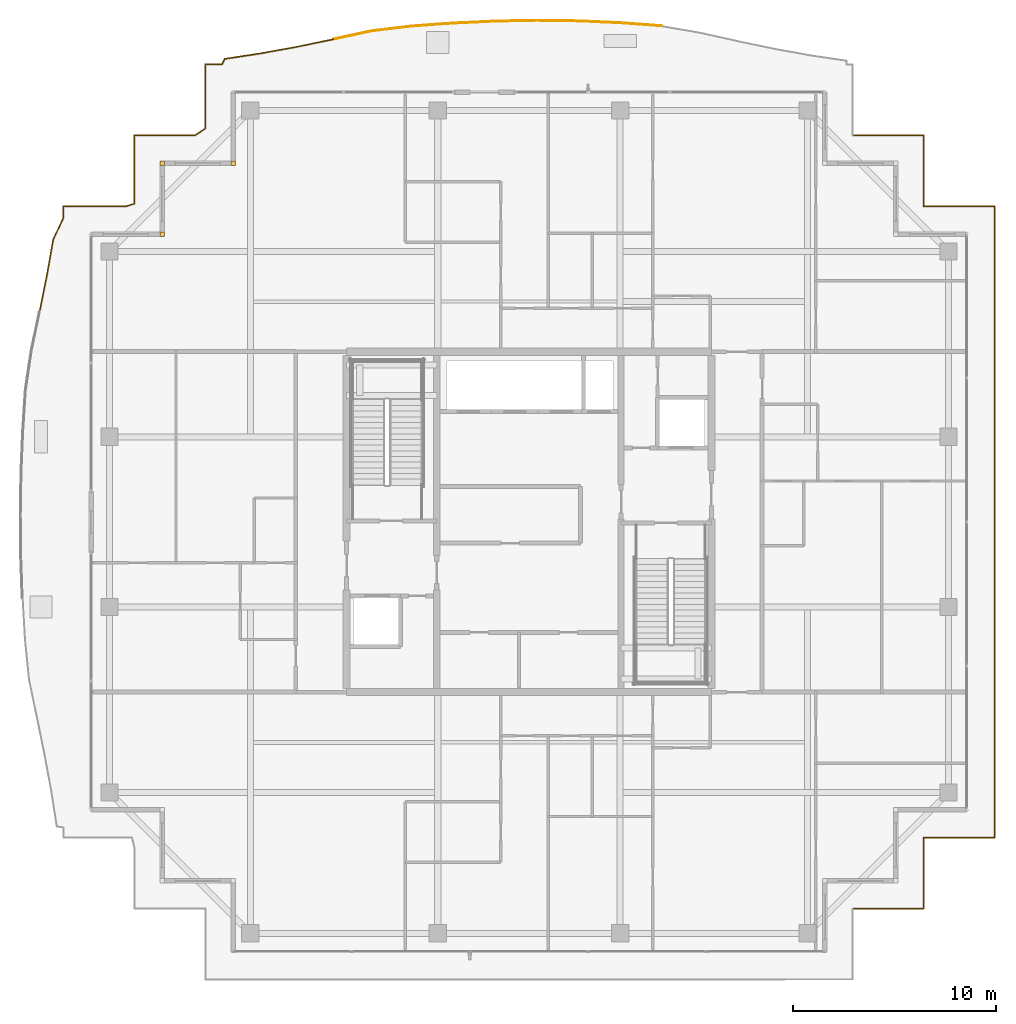
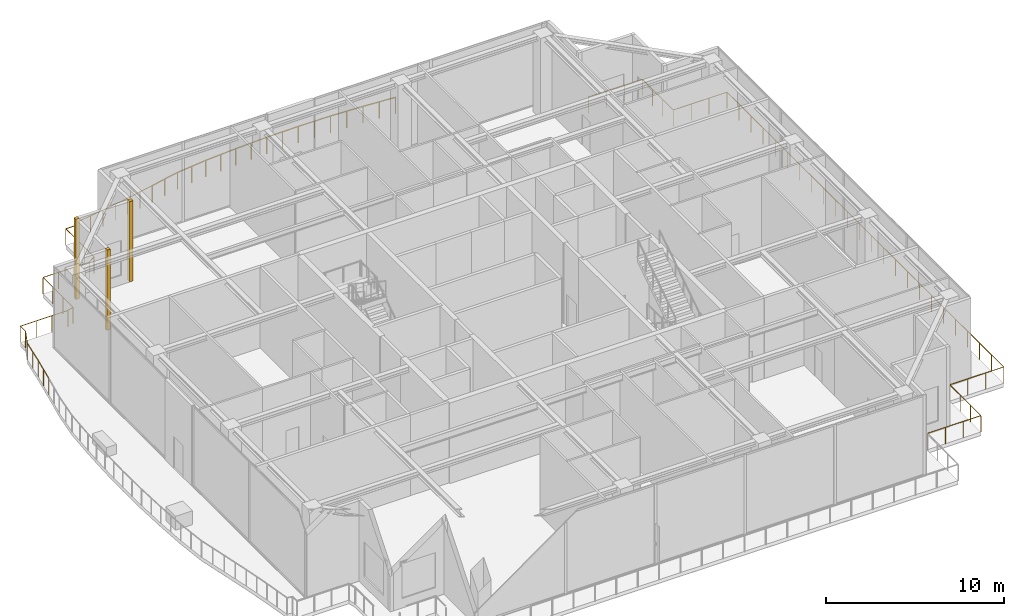
# One storey, part 37 of 38: 4 railings, 3 coverings.
"""IFC4 building model written with IfcOpenShell, lengths in metres."""

import ifcopenshell
import ifcopenshell.guid

model = None  # the IFC model being written
_history = None  # IfcOwnerHistory: only IFC2X3 demands one
_inside = {}  # id of a spatial element -> (the spatial element, [elements in it])
_under = {}  # id of a project, library or spatial element -> (it, [spatial elements below it])
_declared = {}  # id of a project -> (the project, [libraries it declares])
_typed = {}  # id of a type object -> (the type object, [elements of that type])
_made_of = {}  # id of a material, layer set ... -> (it, [elements and type objects made of it])


def new_model(schema):
    """Start an empty IFC model of exactly this schema.

    Asked for "IFC4X3", IfcOpenShell would pick the latest addendum, in which some entities
    have other attributes; the version numbers below select the first issue.
    IFC2X3 requires an IfcOwnerHistory on every rooted entity: one is made here for all.
    """
    global model, _history
    if schema == "IFC4X3":
        model = ifcopenshell.file(schema_version=(4, 3, 0, 0))
    else:
        model = ifcopenshell.file(schema=schema)
    _inside.clear()
    _under.clear()
    _declared.clear()
    _typed.clear()
    _made_of.clear()
    _history = None
    if model.schema == "IFC2X3":
        org = make("IfcOrganization", Name="unknown")
        user = make(
            "IfcPersonAndOrganization",
            ThePerson=make("IfcPerson", FamilyName="unknown"),
            TheOrganization=org,
        )
        app = make(
            "IfcApplication",
            ApplicationDeveloper=org,
            Version="unknown",
            ApplicationFullName="unknown",
            ApplicationIdentifier="unknown",
        )
        _history = make(
            "IfcOwnerHistory",
            OwningUser=user,
            OwningApplication=app,
            ChangeAction="ADDED",
            CreationDate=0,
        )
    return model


def make(cls, **values):
    """One entity of the class cls with the attributes given. An attribute that is None is left unset."""
    return model.create_entity(
        cls, **{name: value for name, value in values.items() if value is not None}
    )


def rooted(cls, **values):
    """An entity with a GlobalId (a new one), such as an element, a storey or a relation."""
    return make(cls, GlobalId=ifcopenshell.guid.new(), OwnerHistory=_history, **values)


def si_unit(unit_type, name, prefix=None):
    """IfcSIUnit, for example si_unit("LENGTHUNIT", "METRE", prefix="MILLI")."""
    return make("IfcSIUnit", UnitType=unit_type, Prefix=prefix, Name=name)


def assignment(units):
    """IfcUnitAssignment: the units of a project."""
    return None if units is None else make("IfcUnitAssignment", Units=units)


def point(xyz):
    """IfcCartesianPoint."""
    return None if xyz is None else make("IfcCartesianPoint", Coordinates=xyz)


def direction(xyz):
    """IfcDirection."""
    return None if xyz is None else make("IfcDirection", DirectionRatios=xyz)


def frame(location, z_axis=None, x_axis=None):
    """IfcAxis2Placement3D, a coordinate frame: its origin and axes. An axis left out is left unset."""
    return make(
        "IfcAxis2Placement3D",
        Location=point(location),
        Axis=direction(z_axis),
        RefDirection=direction(x_axis),
    )


def frame_2d(location, x_axis=None):
    """IfcAxis2Placement2D, a coordinate frame in the plane: its origin and x axis."""
    return make(
        "IfcAxis2Placement2D", Location=point(location), RefDirection=direction(x_axis)
    )


def origin():
    """The frame at (0, 0, 0) with its axes left unset."""
    return frame((0.0, 0.0, 0.0))


def origin_2d():
    """The frame at (0, 0) in the plane with its x axis left unset."""
    return frame_2d((0.0, 0.0))


def place(relative_to, where):
    """IfcLocalPlacement: puts the frame where relative to a parent placement (None: the world)."""
    return make(
        "IfcLocalPlacement", PlacementRelTo=relative_to, RelativePlacement=where
    )


def context(
    kind, dimensions, precision=None, world=None, true_north=None, identifier=None
):
    """IfcGeometricRepresentationContext, for example the 3D "Model" context."""
    return make(
        "IfcGeometricRepresentationContext",
        ContextIdentifier=identifier,
        ContextType=kind,
        CoordinateSpaceDimension=dimensions,
        Precision=precision,
        WorldCoordinateSystem=world,
        TrueNorth=true_north,
    )


def subcontext(parent, identifier, kind, view, scale=None):
    """IfcGeometricRepresentationSubContext, for example "Body" below "Model"."""
    return make(
        "IfcGeometricRepresentationSubContext",
        ContextIdentifier=identifier,
        ContextType=kind,
        ParentContext=parent,
        TargetScale=scale,
        TargetView=view,
    )


def project(units=None, contexts=None):
    """IfcProject with its units and contexts."""
    return rooted(
        "IfcProject",
        Name="project",
        RepresentationContexts=contexts,
        UnitsInContext=assignment(units),
    )


def spatial(cls, under=None, at=None, **own):
    """A site, building, storey or space (cls), placed at a placement, below another one or the project."""
    s = rooted(cls, ObjectPlacement=at, **own)
    if under is not None:
        _under.setdefault(under.id(), (under, []))[1].append(s)
    return s


def profile(cls, at=None, kind="AREA", **sizes):
    """A parametric profile (cls). Its sizes go by their IFC names, for example OverallWidth=200.0."""
    return make(cls, ProfileType=kind, Position=at, **sizes)


def rectangle(**sizes):
    """IfcRectangleProfileDef."""
    return profile("IfcRectangleProfileDef", **sizes)


def circle(**sizes):
    """IfcCircleProfileDef."""
    return profile("IfcCircleProfileDef", **sizes)


def extrude(swept, where, along, depth):
    """IfcExtrudedAreaSolid: the profile swept, set in the frame where, extruded along a direction by depth."""
    return make(
        "IfcExtrudedAreaSolid",
        SweptArea=swept,
        Position=where,
        ExtrudedDirection=direction(along),
        Depth=depth,
    )


def shape(context_of_items, identifier, shape_type, items):
    """IfcShapeRepresentation: the items that make up one representation, for example the "Body"."""
    return make(
        "IfcShapeRepresentation",
        ContextOfItems=context_of_items,
        RepresentationIdentifier=identifier,
        RepresentationType=shape_type,
        Items=items,
    )


def source(mapping_origin, context_of_items, identifier, shape_type, items):
    """IfcRepresentationMap: a shape defined once, which mapped items show again and again."""
    return make(
        "IfcRepresentationMap",
        MappingOrigin=mapping_origin,
        MappedRepresentation=shape(context_of_items, identifier, shape_type, items),
    )


def transform(
    local_origin,
    x_axis=None,
    y_axis=None,
    z_axis=None,
    scale=None,
    scale2=None,
    scale3=None,
    uniform=True,
):
    """IfcCartesianTransformationOperator3D, or its non-uniform kind. x_axis, y_axis, z_axis: its Axis1, 2, 3."""
    if uniform:
        return make(
            "IfcCartesianTransformationOperator3D",
            Axis1=direction(x_axis),
            Axis2=direction(y_axis),
            LocalOrigin=point(local_origin),
            Scale=scale,
            Axis3=direction(z_axis),
        )
    return make(
        "IfcCartesianTransformationOperator3DnonUniform",
        Axis1=direction(x_axis),
        Axis2=direction(y_axis),
        LocalOrigin=point(local_origin),
        Scale=scale,
        Axis3=direction(z_axis),
        Scale2=scale2,
        Scale3=scale3,
    )


def mapped(mapping_source, mapping_target):
    """IfcMappedItem: shows the shape of a source again, moved by a transform."""
    return make(
        "IfcMappedItem", MappingSource=mapping_source, MappingTarget=mapping_target
    )


def material(Name=None, Category=None):
    """IfcMaterial."""
    return make("IfcMaterial", Name=Name, Category=Category)


def layer(
    of_material, thickness, ventilated=None, Name=None, Category=None, Priority=None
):
    """IfcMaterialLayer: one layer of a wall or slab, of a material (None: an air gap)."""
    return make(
        "IfcMaterialLayer",
        Material=of_material,
        LayerThickness=thickness,
        IsVentilated=ventilated,
        Name=Name,
        Category=Category,
        Priority=Priority,
    )


def layer_set(layers, Name=None):
    """IfcMaterialLayerSet."""
    return make("IfcMaterialLayerSet", MaterialLayers=layers, LayerSetName=Name)


def made_of(thing, what):
    """Note that an element or type object is made of a material, layer set ...; save() writes the relation."""
    if what is not None:
        _made_of.setdefault(what.id(), (what, []))[1].append(thing)
    return thing


def type_object(cls, material=None, **own):
    """A type object (cls), such as IfcWallType, which elements share."""
    return made_of(rooted(cls, **own), material)


def element(
    cls,
    number,
    at=None,
    inside=None,
    cuts=None,
    type_object=None,
    material=None,
    context=None,
    identifier="Body",
    shape_type=None,
    held_by="IfcProductDefinitionShape",
    body=None,
    shapes=None,
    **own,
):
    """One element of the class cls, such as IfcWall. Its Tag is "e" and its number.

    at: its placement. inside: the storey or other place that contains it. cuts: it is an
    opening in that element (IfcRelVoidsElement). A single representation is given by context,
    identifier, shape_type and body (its items); several are given by shapes. held_by: the class
    of the entity that holds the representations. save() writes the other relations.
    """
    e = rooted(cls, Tag="e%d" % number, ObjectPlacement=at, **own)
    if body is not None:
        shapes = [shape(context, identifier, shape_type, body)]
    if shapes is not None:
        e.Representation = make(held_by, Representations=shapes)
    if inside is not None:
        _inside.setdefault(inside.id(), (inside, []))[1].append(e)
    if cuts is not None:
        rooted(
            "IfcRelVoidsElement", RelatingBuildingElement=cuts, RelatedOpeningElement=e
        )
    if type_object is not None:
        _typed.setdefault(type_object.id(), (type_object, []))[1].append(e)
    return made_of(e, material)


def aggregate(whole, parts):
    """IfcRelAggregates: a whole, such as a stair, and the parts it consists of."""
    return rooted("IfcRelAggregates", RelatingObject=whole, RelatedObjects=parts)


def save(model, path):
    """Write the relations noted so far, then the file.

    IfcRelAggregates (storeys below a building ...), IfcRelContainedInSpatialStructure (elements
    in a storey), IfcRelDefinesByType, IfcRelAssociatesMaterial and IfcRelDeclares: one each for
    every whole, place, type object, material and project.
    """
    for whole, parts in _under.values():
        aggregate(whole, parts)
    for where, things in _inside.values():
        rooted(
            "IfcRelContainedInSpatialStructure",
            RelatedElements=things,
            RelatingStructure=where,
        )
    for kind, things in _typed.values():
        rooted("IfcRelDefinesByType", RelatedObjects=things, RelatingType=kind)
    for what, things in _made_of.values():
        rooted("IfcRelAssociatesMaterial", RelatedObjects=things, RelatingMaterial=what)
    for by, libraries in _declared.values():
        rooted("IfcRelDeclares", RelatingContext=by, RelatedDefinitions=libraries)
    model.write(path)


model = new_model("IFC4")

# Units and contexts
model_context = context("Model", 3, precision=1e-05, world=origin(), true_north=direction((0.0, 1.0)))
body_context = subcontext(model_context, "Body", "Model", "MODEL_VIEW")
ifc_project = project(units=[si_unit("LENGTHUNIT", "METRE"), si_unit("AREAUNIT", "SQUARE_METRE"), si_unit("VOLUMEUNIT", "CUBIC_METRE"), si_unit("PLANEANGLEUNIT", "RADIAN"), si_unit("MASSUNIT", "GRAM", prefix="KILO")], contexts=[model_context])

# Site, building, storey
site_placement = place(None, origin())
site = spatial("IfcSite", under=ifc_project, at=site_placement, CompositionType="ELEMENT")
building_placement = place(site_placement, origin())
building = spatial("IfcBuilding", under=site, at=building_placement, Name="Serunith Strait Residences", CompositionType="ELEMENT")
storey_placement = place(building_placement, frame((0.0, 0.0, 353.85009765625)))
storey = spatial("IfcBuildingStorey", under=building, at=storey_placement, Name="L87", CompositionType="ELEMENT", Elevation=353.85009765625)

# Railings
ifc_material_1 = material(Name="Stainless Steel & Laminated Glass Balustrade", Category="steel")
railing_type = type_object("IfcRailingType", Name="RLG-BALC-1150", PredefinedType="BALUSTRADE", material=ifc_material_1)
railing_1_placement = place(storey_placement, frame((8.243408203125, 35.544921875, -0.050048828125)))
element("IfcRailing", 1, at=railing_1_placement, inside=storey, type_object=railing_type, Name="L87 Swirling Balcony Perimeter Balustrade 3", PredefinedType="BALUSTRADE", context=body_context, shape_type="SweptSolid", body=[
    extrude(circle(Radius=0.02392578125, at=origin_2d()), frame((0.00048828125, 0.001953125, 1.1259765625), z_axis=(0.196065251128, 0.98059085112, 0.0), x_axis=(-0.98059085112, 0.196065251128, 0.0)), (0.0, 0.0, 1.0), 1.84130859375),
    extrude(circle(Radius=0.02392578125, at=origin_2d()), frame((0.362060546875, 1.8115234375, 1.1259765625), z_axis=(0.17386245879, 0.984769945431, 0.0), x_axis=(-0.984769945431, 0.17386245879, 0.0)), (0.0, 0.0, 1.0), 1.8017578125),
    extrude(circle(Radius=0.02392578125, at=origin_2d()), frame((0.676513671875, 3.589599609375, 1.1259765625), z_axis=(0.425667098184, 0.904879838168, 0.0), x_axis=(-0.904879838168, 0.425667098184, 0.0)), (0.0, 0.0, 1.0), 1.17236328125),
    extrude(circle(Radius=0.02392578125, at=origin_2d()), frame((1.176513671875, 4.654296875, 1.1259765625), z_axis=(0.0, 1.0, 0.0), x_axis=(-1.0, 0.0, 0.0)), (0.0, 0.0, 1.0), 0.578857421875),
    extrude(circle(Radius=0.02392578125, at=origin_2d()), frame((1.178466796875, 5.235107421875, 1.1259765625), z_axis=(1.0, 0.0, 0.0), x_axis=(0.0, 1.0, 0.0)), (0.0, 0.0, 1.0), 3.0859375),
    extrude(circle(Radius=0.02392578125, at=origin_2d()), frame((4.268310546875, 5.235595703125, 1.1259765625), z_axis=(0.957983085849, 0.286824697728, 0.0), x_axis=(-0.286824697728, 0.957983085849, 0.0)), (0.0, 0.0, 1.0), 0.424072265625),
    extrude(circle(Radius=0.02392578125, at=origin_2d()), frame((4.676513671875, 5.35986328125, 1.1259765625), z_axis=(0.0, 1.0, 0.0), x_axis=(-1.0, 0.0, 0.0)), (0.0, 0.0, 1.0), 3.373291015625),
    extrude(circle(Radius=0.02392578125, at=origin_2d()), frame((4.678466796875, 8.735107421875, 1.1259765625), z_axis=(1.0, 0.0, 0.0), x_axis=(0.0, 1.0, 0.0)), (0.0, 0.0, 1.0), 2.989990234375),
    extrude(circle(Radius=0.02099609375, at=origin_2d()), origin(), (0.0, 0.0, 1.0), 1.099853515625),
    extrude(circle(Radius=0.02099609375, at=origin_2d()), frame((0.180908203125, 0.90478515625, 0.0)), (0.0, 0.0, 1.0), 1.099853515625),
    extrude(circle(Radius=0.02099609375, at=origin_2d()), frame((0.36181640625, 1.8095703125, 0.0)), (0.0, 0.0, 1.0), 1.099853515625),
    extrude(circle(Radius=0.02099609375, at=origin_2d()), frame((0.518798828125, 2.69873046875, 0.0)), (0.0, 0.0, 1.0), 1.099853515625),
    extrude(circle(Radius=0.02099609375, at=origin_2d()), frame((0.67578125, 3.587890625, 0.0)), (0.0, 0.0, 1.0), 1.099853515625),
    extrude(circle(Radius=0.02099609375, at=origin_2d()), frame((1.176513671875, 4.65234375, 0.0)), (0.0, 0.0, 1.0), 1.099853515625),
    extrude(circle(Radius=0.02099609375, at=origin_2d()), frame((1.176513671875, 5.235107421875, 0.0)), (0.0, 0.0, 1.0), 1.099853515625),
    extrude(circle(Radius=0.02099609375, at=origin_2d()), frame((2.20654296875, 5.235107421875, 0.0)), (0.0, 0.0, 1.0), 1.099853515625),
    extrude(circle(Radius=0.02099609375, at=origin_2d()), frame((3.236328125, 5.235107421875, 0.0)), (0.0, 0.0, 1.0), 1.099853515625),
    extrude(circle(Radius=0.02099609375, at=origin_2d()), frame((4.266357421875, 5.235107421875, 0.0)), (0.0, 0.0, 1.0), 1.099853515625),
    extrude(circle(Radius=0.02099609375, at=origin_2d()), frame((4.676513671875, 5.35791015625, 0.0)), (0.0, 0.0, 1.0), 1.099853515625),
    extrude(circle(Radius=0.02099609375, at=origin_2d()), frame((4.676513671875, 6.483642578125, 0.0)), (0.0, 0.0, 1.0), 1.099853515625),
    extrude(circle(Radius=0.02099609375, at=origin_2d()), frame((4.676513671875, 7.609375, 0.0)), (0.0, 0.0, 1.0), 1.099853515625),
    extrude(circle(Radius=0.02099609375, at=origin_2d()), frame((4.676513671875, 8.735107421875, 0.0)), (0.0, 0.0, 1.0), 1.099853515625),
    extrude(circle(Radius=0.02099609375, at=origin_2d()), frame((5.674560546875, 8.735107421875, 0.0)), (0.0, 0.0, 1.0), 1.099853515625),
    extrude(circle(Radius=0.02099609375, at=origin_2d()), frame((6.67236328125, 8.735107421875, 0.0)), (0.0, 0.0, 1.0), 1.099853515625),
    extrude(circle(Radius=0.02099609375, at=origin_2d()), frame((7.67041015625, 8.735107421875, 0.0)), (0.0, 0.0, 1.0), 1.099853515625),
])
railing_2_placement = place(storey_placement, frame((15.913818359375, 44.280029296875, -0.050048828125)))
element("IfcRailing", 2, at=railing_2_placement, inside=storey, type_object=railing_type, Name="L87 Swirling Balcony Perimeter Balustrade 4", PredefinedType="BALUSTRADE", context=body_context, shape_type="SweptSolid", body=[
    extrude(circle(Radius=0.02392578125, at=origin_2d()), frame((0.001708984375, 0.0009765625, 1.1259765625), z_axis=(0.839081135854, 0.544006293579, 0.0), x_axis=(-0.544006293579, 0.839081135854, 0.0)), (0.0, 0.0, 1.0), 0.59912109375),
    extrude(circle(Radius=0.02392578125, at=origin_2d()), frame((0.506103515625, 0.330078125, 1.1259765625), z_axis=(0.0, 1.0, 0.0), x_axis=(-1.0, 0.0, 0.0)), (0.0, 0.0, 1.0), 3.16796875),
    extrude(circle(Radius=0.02392578125, at=origin_2d()), frame((0.508056640625, 3.5, 1.1259765625), z_axis=(1.0, 0.0, 0.0), x_axis=(0.0, 1.0, 0.0)), (0.0, 0.0, 1.0), 0.820556640625),
    extrude(circle(Radius=0.02392578125, at=origin_2d()), frame((1.33154296875, 3.501708984375, 1.1259765625), z_axis=(0.4472135955, 0.894427191, 0.0), x_axis=(-0.894427191, 0.4472135955, 0.0)), (0.0, 0.0, 1.0), 0.300537109375),
    extrude(circle(Radius=0.02392578125, at=origin_2d()), frame((1.46875, 3.772705078125, 1.1259765625), z_axis=(0.988686694555, 0.149995399961, 0.0), x_axis=(-0.149995399961, 0.988686694555, 0.0)), (0.0, 0.0, 1.0), 1.784912109375),
    extrude(circle(Radius=0.02392578125, at=origin_2d()), frame((3.2373046875, 4.041015625, 1.1259765625), z_axis=(0.983850539316, 0.178991944755, 0.0), x_axis=(-0.178991944755, 0.983850539316, 0.0)), (0.0, 0.0, 1.0), 1.8115234375),
    extrude(circle(Radius=0.02392578125, at=origin_2d()), frame((5.0234375, 4.3662109375, 1.1259765625), z_axis=(0.979406649653, 0.201897534941, 0.0), x_axis=(-0.201897534941, 0.979406649653, 0.0)), (0.0, 0.0, 1.0), 1.8544921875),
    extrude(circle(Radius=0.02099609375, at=origin_2d()), origin(), (0.0, 0.0, 1.0), 1.099853515625),
    extrude(circle(Radius=0.02099609375, at=origin_2d()), frame((0.506103515625, 0.328125, 0.0)), (0.0, 0.0, 1.0), 1.099853515625),
    extrude(circle(Radius=0.02099609375, at=origin_2d()), frame((0.506103515625, 1.385498046875, 0.0)), (0.0, 0.0, 1.0), 1.099853515625),
    extrude(circle(Radius=0.02099609375, at=origin_2d()), frame((0.506103515625, 2.442626953125, 0.0)), (0.0, 0.0, 1.0), 1.099853515625),
    extrude(circle(Radius=0.02099609375, at=origin_2d()), frame((0.506103515625, 3.5, 0.0)), (0.0, 0.0, 1.0), 1.099853515625),
    extrude(circle(Radius=0.02099609375, at=origin_2d()), frame((1.33056640625, 3.5, 0.0)), (0.0, 0.0, 1.0), 1.099853515625),
    extrude(circle(Radius=0.02099609375, at=origin_2d()), frame((1.466796875, 3.7724609375, 0.0)), (0.0, 0.0, 1.0), 1.099853515625),
    extrude(circle(Radius=0.02099609375, at=origin_2d()), frame((2.35107421875, 3.90673828125, 0.0)), (0.0, 0.0, 1.0), 1.099853515625),
    extrude(circle(Radius=0.02099609375, at=origin_2d()), frame((3.2353515625, 4.040771484375, 0.0)), (0.0, 0.0, 1.0), 1.099853515625),
    extrude(circle(Radius=0.02099609375, at=origin_2d()), frame((4.12841796875, 4.203125, 0.0)), (0.0, 0.0, 1.0), 1.099853515625),
    extrude(circle(Radius=0.02099609375, at=origin_2d()), frame((5.021484375, 4.36572265625, 0.0)), (0.0, 0.0, 1.0), 1.099853515625),
    extrude(circle(Radius=0.02099609375, at=origin_2d()), frame((5.931640625, 4.55322265625, 0.0)), (0.0, 0.0, 1.0), 1.099853515625),
    extrude(circle(Radius=0.02099609375, at=origin_2d()), frame((6.841796875, 4.740966796875, 0.0)), (0.0, 0.0, 1.0), 1.099853515625),
])
railing_3_placement = place(storey_placement, frame((22.755615234375, 49.02099609375, -0.050048828125)))
element("IfcRailing", 3, at=railing_3_placement, inside=storey, type_object=railing_type, Name="L87 Swirling Balcony Perimeter Balustrade 5", PredefinedType="BALUSTRADE", context=body_context, shape_type="SweptSolid", body=[
    extrude(circle(Radius=0.02392578125, at=origin_2d()), frame((0.001953125, 0.00048828125, 1.1259765625), z_axis=(0.977367925952, 0.211546537009, 0.0), x_axis=(-0.211546537009, 0.977367925952, 0.0)), (0.0, 0.0, 1.0), 1.912841796875),
    extrude(circle(Radius=0.02392578125, at=origin_2d()), frame((1.87548828125, 0.40576171875, 1.1259765625), z_axis=(0.99287741728, 0.119140397244, 0.0), x_axis=(-0.119140397244, 0.99287741728, 0.0)), (0.0, 0.0, 1.0), 1.991943359375),
    extrude(circle(Radius=0.02392578125, at=origin_2d()), frame((3.857177734375, 0.6435546875, 1.1259765625), z_axis=(0.997472645917, 0.071051535157, 0.0), x_axis=(-0.071051535157, 0.997472645917, 0.0)), (0.0, 0.0, 1.0), 2.037109375),
    extrude(circle(Radius=0.02392578125, at=origin_2d()), frame((5.89306640625, 0.788330078125, 1.1259765625), z_axis=(0.998887572627, 0.047155246271, 0.0), x_axis=(-0.047155246271, 0.998887572627, 0.0)), (0.0, 0.0, 1.0), 2.061767578125),
    extrude(circle(Radius=0.02392578125, at=origin_2d()), frame((7.95654296875, 0.8857421875, 1.1259765625), z_axis=(0.999830062475, 0.018434917182, 0.0), x_axis=(-0.018434917182, 0.999830062475, 0.0)), (0.0, 0.0, 1.0), 2.0751953125),
    extrude(circle(Radius=0.02392578125, at=origin_2d()), frame((10.035400390625, 0.924072265625, 1.1259765625), z_axis=(0.999911955906, -0.01326953036, 0.0), x_axis=(0.01326953036, 0.999911955906, 0.0)), (0.0, 0.0, 1.0), 2.074951171875),
    extrude(circle(Radius=0.02392578125, at=origin_2d()), frame((12.1142578125, 0.896484375, 1.1259765625), z_axis=(0.998989406938, -0.044946243741, 0.0), x_axis=(0.044946243741, 0.998989406938, 0.0)), (0.0, 0.0, 1.0), 2.06005859375),
    extrude(circle(Radius=0.02392578125, at=origin_2d()), frame((14.17626953125, 0.803466796875, 1.1259765625), z_axis=(0.997287994412, -0.073597936126, 0.0), x_axis=(0.073597936126, 0.997287994412, 0.0)), (0.0, 0.0, 1.0), 2.03271484375),
    extrude(circle(Radius=0.02099609375, at=origin_2d()), origin(), (0.0, 0.0, 1.0), 1.099853515625),
    extrude(circle(Radius=0.02099609375, at=origin_2d()), frame((0.936767578125, 0.20263671875, 0.0)), (0.0, 0.0, 1.0), 1.099853515625),
    extrude(circle(Radius=0.02099609375, at=origin_2d()), frame((1.87353515625, 0.405517578125, 0.0)), (0.0, 0.0, 1.0), 1.099853515625),
    extrude(circle(Radius=0.02099609375, at=origin_2d()), frame((2.8642578125, 0.5244140625, 0.0)), (0.0, 0.0, 1.0), 1.099853515625),
    extrude(circle(Radius=0.02099609375, at=origin_2d()), frame((3.855224609375, 0.643310546875, 0.0)), (0.0, 0.0, 1.0), 1.099853515625),
    extrude(circle(Radius=0.02099609375, at=origin_2d()), frame((4.873046875, 0.7158203125, 0.0)), (0.0, 0.0, 1.0), 1.099853515625),
    extrude(circle(Radius=0.02099609375, at=origin_2d()), frame((5.89111328125, 0.788330078125, 0.0)), (0.0, 0.0, 1.0), 1.099853515625),
    extrude(circle(Radius=0.02099609375, at=origin_2d()), frame((6.9228515625, 0.8369140625, 0.0)), (0.0, 0.0, 1.0), 1.099853515625),
    extrude(circle(Radius=0.02099609375, at=origin_2d()), frame((7.95458984375, 0.8857421875, 0.0)), (0.0, 0.0, 1.0), 1.099853515625),
    extrude(circle(Radius=0.02099609375, at=origin_2d()), frame((8.994140625, 0.90478515625, 0.0)), (0.0, 0.0, 1.0), 1.099853515625),
    extrude(circle(Radius=0.02099609375, at=origin_2d()), frame((10.033447265625, 0.924072265625, 0.0)), (0.0, 0.0, 1.0), 1.099853515625),
    extrude(circle(Radius=0.02099609375, at=origin_2d()), frame((11.07275390625, 0.91015625, 0.0)), (0.0, 0.0, 1.0), 1.099853515625),
    extrude(circle(Radius=0.02099609375, at=origin_2d()), frame((12.1123046875, 0.896484375, 0.0)), (0.0, 0.0, 1.0), 1.099853515625),
    extrude(circle(Radius=0.02099609375, at=origin_2d()), frame((13.143310546875, 0.85009765625, 0.0)), (0.0, 0.0, 1.0), 1.099853515625),
    extrude(circle(Radius=0.02099609375, at=origin_2d()), frame((14.17431640625, 0.8037109375, 0.0)), (0.0, 0.0, 1.0), 1.099853515625),
    extrude(circle(Radius=0.02099609375, at=origin_2d()), frame((15.18994140625, 0.728759765625, 0.0)), (0.0, 0.0, 1.0), 1.099853515625),
    extrude(circle(Radius=0.02099609375, at=origin_2d()), frame((16.20556640625, 0.65380859375, 0.0)), (0.0, 0.0, 1.0), 1.099853515625),
])
railing_4_placement = place(storey_placement, frame((48.3798828125, 44.280029296875, -0.050048828125)))
element("IfcRailing", 4, at=railing_4_placement, inside=storey, type_object=railing_type, Name="L87 Swirling Balcony Perimeter Balustrade 7", PredefinedType="BALUSTRADE", context=body_context, shape_type="SweptSolid", body=[
    extrude(circle(Radius=0.02392578125, at=origin_2d()), frame((0.001953125, 0.0, 1.1259765625), z_axis=(1.0, 0.0, 0.0), x_axis=(0.0, 1.0, 0.0)), (0.0, 0.0, 1.0), 3.49609375),
    extrude(circle(Radius=0.02392578125, at=origin_2d()), frame((3.5, -0.001953125, 1.1259765625), z_axis=(0.0, -1.0, 0.0), x_axis=(1.0, 0.0, 0.0)), (0.0, 0.0, 1.0), 3.49609375),
    extrude(circle(Radius=0.02392578125, at=origin_2d()), frame((3.501953125, -3.5, 1.1259765625), z_axis=(1.0, 0.0, 0.0), x_axis=(0.0, 1.0, 0.0)), (0.0, 0.0, 1.0), 3.49609375),
    extrude(circle(Radius=0.02392578125, at=origin_2d()), frame((7.0, -3.501953125, 1.1259765625), z_axis=(0.0, -1.0, 0.0), x_axis=(1.0, 0.0, 0.0)), (0.0, 0.0, 1.0), 31.156005859375),
    extrude(circle(Radius=0.02392578125, at=origin_2d()), frame((6.998046875, -34.659912109375, 1.1259765625), z_axis=(-1.0, 0.0, 0.0), x_axis=(0.0, -1.0, 0.0)), (0.0, 0.0, 1.0), 3.49609375),
    extrude(circle(Radius=0.02392578125, at=origin_2d()), frame((3.5, -34.661865234375, 1.1259765625), z_axis=(0.0, -1.0, 0.0), x_axis=(1.0, 0.0, 0.0)), (0.0, 0.0, 1.0), 3.49609375),
    extrude(circle(Radius=0.02392578125, at=origin_2d()), frame((3.498046875, -38.159912109375, 1.1259765625), z_axis=(-1.0, 0.0, 0.0), x_axis=(0.0, -1.0, 0.0)), (0.0, 0.0, 1.0), 3.44384765625),
    extrude(circle(Radius=0.02099609375, at=origin_2d()), origin(), (0.0, 0.0, 1.0), 1.099853515625),
    extrude(circle(Radius=0.02099609375, at=origin_2d()), frame((1.166748046875, 0.0, 0.0)), (0.0, 0.0, 1.0), 1.099853515625),
    extrude(circle(Radius=0.02099609375, at=origin_2d()), frame((2.333251953125, 0.0, 0.0)), (0.0, 0.0, 1.0), 1.099853515625),
    extrude(circle(Radius=0.02099609375, at=origin_2d()), frame((3.5, 0.0, 0.0)), (0.0, 0.0, 1.0), 1.099853515625),
    extrude(circle(Radius=0.02099609375, at=origin_2d()), frame((3.5, -1.166748046875, 0.0)), (0.0, 0.0, 1.0), 1.099853515625),
    extrude(circle(Radius=0.02099609375, at=origin_2d()), frame((3.5, -2.333251953125, 0.0)), (0.0, 0.0, 1.0), 1.099853515625),
    extrude(circle(Radius=0.02099609375, at=origin_2d()), frame((3.5, -3.5, 0.0)), (0.0, 0.0, 1.0), 1.099853515625),
    extrude(circle(Radius=0.02099609375, at=origin_2d()), frame((4.666748046875, -3.5, 0.0)), (0.0, 0.0, 1.0), 1.099853515625),
    extrude(circle(Radius=0.02099609375, at=origin_2d()), frame((5.833251953125, -3.5, 0.0)), (0.0, 0.0, 1.0), 1.099853515625),
    extrude(circle(Radius=0.02099609375, at=origin_2d()), frame((7.0, -3.5, 0.0)), (0.0, 0.0, 1.0), 1.099853515625),
    extrude(circle(Radius=0.02099609375, at=origin_2d()), frame((7.0, -4.854736328125, 0.0)), (0.0, 0.0, 1.0), 1.099853515625),
    extrude(circle(Radius=0.02099609375, at=origin_2d()), frame((7.0, -6.20947265625, 0.0)), (0.0, 0.0, 1.0), 1.099853515625),
    extrude(circle(Radius=0.02099609375, at=origin_2d()), frame((7.0, -7.564453125, 0.0)), (0.0, 0.0, 1.0), 1.099853515625),
    extrude(circle(Radius=0.02099609375, at=origin_2d()), frame((7.0, -8.919189453125, 0.0)), (0.0, 0.0, 1.0), 1.099853515625),
    extrude(circle(Radius=0.02099609375, at=origin_2d()), frame((7.0, -10.27392578125, 0.0)), (0.0, 0.0, 1.0), 1.099853515625),
    extrude(circle(Radius=0.02099609375, at=origin_2d()), frame((7.0, -11.628662109375, 0.0)), (0.0, 0.0, 1.0), 1.099853515625),
    extrude(circle(Radius=0.02099609375, at=origin_2d()), frame((7.0, -12.9833984375, 0.0)), (0.0, 0.0, 1.0), 1.099853515625),
    extrude(circle(Radius=0.02099609375, at=origin_2d()), frame((7.0, -14.338134765625, 0.0)), (0.0, 0.0, 1.0), 1.099853515625),
    extrude(circle(Radius=0.02099609375, at=origin_2d()), frame((7.0, -15.693115234375, 0.0)), (0.0, 0.0, 1.0), 1.099853515625),
    extrude(circle(Radius=0.02099609375, at=origin_2d()), frame((7.0, -17.0478515625, 0.0)), (0.0, 0.0, 1.0), 1.099853515625),
    extrude(circle(Radius=0.02099609375, at=origin_2d()), frame((7.0, -18.402587890625, 0.0)), (0.0, 0.0, 1.0), 1.099853515625),
    extrude(circle(Radius=0.02099609375, at=origin_2d()), frame((7.0, -19.75732421875, 0.0)), (0.0, 0.0, 1.0), 1.099853515625),
    extrude(circle(Radius=0.02099609375, at=origin_2d()), frame((7.0, -21.112060546875, 0.0)), (0.0, 0.0, 1.0), 1.099853515625),
    extrude(circle(Radius=0.02099609375, at=origin_2d()), frame((7.0, -22.466796875, 0.0)), (0.0, 0.0, 1.0), 1.099853515625),
    extrude(circle(Radius=0.02099609375, at=origin_2d()), frame((7.0, -23.82177734375, 0.0)), (0.0, 0.0, 1.0), 1.099853515625),
    extrude(circle(Radius=0.02099609375, at=origin_2d()), frame((7.0, -25.176513671875, 0.0)), (0.0, 0.0, 1.0), 1.099853515625),
    extrude(circle(Radius=0.02099609375, at=origin_2d()), frame((7.0, -26.53125, 0.0)), (0.0, 0.0, 1.0), 1.099853515625),
    extrude(circle(Radius=0.02099609375, at=origin_2d()), frame((7.0, -27.885986328125, 0.0)), (0.0, 0.0, 1.0), 1.099853515625),
    extrude(circle(Radius=0.02099609375, at=origin_2d()), frame((7.0, -29.24072265625, 0.0)), (0.0, 0.0, 1.0), 1.099853515625),
    extrude(circle(Radius=0.02099609375, at=origin_2d()), frame((7.0, -30.595458984375, 0.0)), (0.0, 0.0, 1.0), 1.099853515625),
    extrude(circle(Radius=0.02099609375, at=origin_2d()), frame((7.0, -31.950439453125, 0.0)), (0.0, 0.0, 1.0), 1.099853515625),
    extrude(circle(Radius=0.02099609375, at=origin_2d()), frame((7.0, -33.30517578125, 0.0)), (0.0, 0.0, 1.0), 1.099853515625),
    extrude(circle(Radius=0.02099609375, at=origin_2d()), frame((7.0, -34.659912109375, 0.0)), (0.0, 0.0, 1.0), 1.099853515625),
    extrude(circle(Radius=0.02099609375, at=origin_2d()), frame((5.833251953125, -34.659912109375, 0.0)), (0.0, 0.0, 1.0), 1.099853515625),
    extrude(circle(Radius=0.02099609375, at=origin_2d()), frame((4.666748046875, -34.659912109375, 0.0)), (0.0, 0.0, 1.0), 1.099853515625),
    extrude(circle(Radius=0.02099609375, at=origin_2d()), frame((3.5, -34.659912109375, 0.0)), (0.0, 0.0, 1.0), 1.099853515625),
    extrude(circle(Radius=0.02099609375, at=origin_2d()), frame((3.5, -35.82666015625, 0.0)), (0.0, 0.0, 1.0), 1.099853515625),
    extrude(circle(Radius=0.02099609375, at=origin_2d()), frame((3.5, -36.9931640625, 0.0)), (0.0, 0.0, 1.0), 1.099853515625),
    extrude(circle(Radius=0.02099609375, at=origin_2d()), frame((3.5, -38.159912109375, 0.0)), (0.0, 0.0, 1.0), 1.099853515625),
    extrude(circle(Radius=0.02099609375, at=origin_2d()), frame((2.350830078125, -38.159912109375, 0.0)), (0.0, 0.0, 1.0), 1.099853515625),
    extrude(circle(Radius=0.02099609375, at=origin_2d()), frame((1.201416015625, -38.159912109375, 0.0)), (0.0, 0.0, 1.0), 1.099853515625),
    extrude(circle(Radius=0.02099609375, at=origin_2d()), frame((0.05224609375, -38.159912109375, 0.0)), (0.0, 0.0, 1.0), 1.099853515625),
])

# Coverings
ifc_material_2 = material(Name="Pale-Champagne Anodised Aluminium", Category="aluminium")
ifc_layer = layer(ifc_material_2, 0.219970703125, Name="Pale-Champagne Anodised Aluminium")
ifc_layer_set = layer_set([ifc_layer], Name="Pale-Champagne Anodised Aluminium")
covering_type = type_object("IfcCoveringType", Name="COV-CORN-TRIM", PredefinedType="CLADDING", material=ifc_layer_set)
shared_shape = source(origin(), body_context, "Body", "SweptSolid", [
    extrude(rectangle(XDim=0.221923828125, YDim=0.221923828125, at=origin_2d()), origin(), (0.0, 0.0, 1.0), 5.52490234375),
])
for number, where, z_axis, x_axis, name in (
    (5, (17.800048828125, 42.89990234375, 0.0), (0.0, 0.0, 1.0), (1.0, 0.0, 0.0), "L87 Girih Serrated Corner Trim Post 12"),
    (6, (14.300048828125, 42.89990234375, 0.0), (0.0, 0.0, 1.0), (1.0, 0.0, 0.0), "L87 Girih Serrated Corner Trim Post 13"),
    (7, (14.300048828125, 39.39990234375, 0.0), (0.0, 0.0, 1.0), (1.0, 0.0, 0.0), "L87 Girih Serrated Corner Trim Post 14"),
):
    element("IfcCovering", number, at=place(storey_placement, frame(where, z_axis=z_axis, x_axis=x_axis)), inside=storey, type_object=covering_type, Name=name, PredefinedType="CLADDING", context=body_context, shape_type="MappedRepresentation", body=[
        mapped(shared_shape, transform((0.0, 0.0, 0.0), scale=1.0)),
    ])

save(model, "model.ifc")
